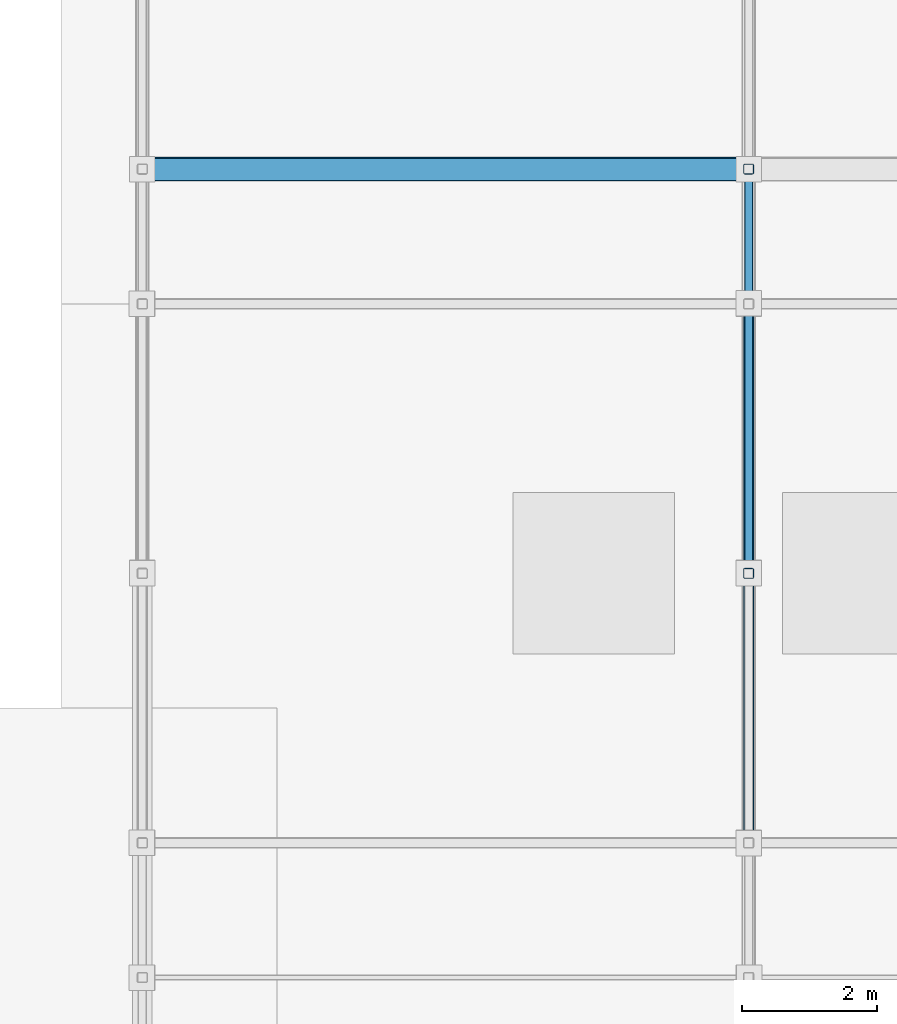
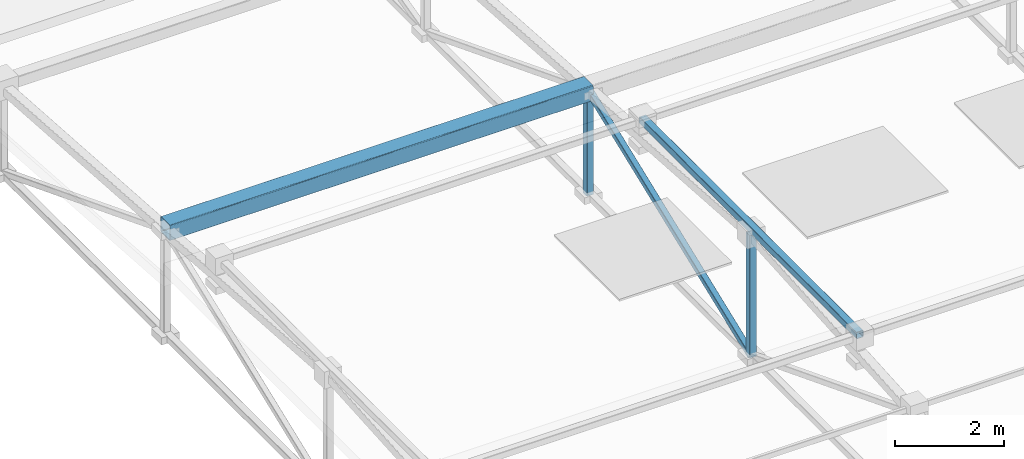
# One storey, part 26 of 85: 4 members, 1 beam.
"""IFC4 building model written with IfcOpenShell, lengths in metres."""

from ifc_helpers import new_model, si_unit, direction, frame, origin, origin_2d, place, context, subcontext, project, spatial, hollow_rectangle, extrude, material, material_profile, profile_set, type_object, element, save


model = new_model("IFC4")

# Units and contexts
model_context = context("Model", 3, precision=1e-05, world=origin(), true_north=direction((0.0, 1.0)))
body_context = subcontext(model_context, "Body", "Model", "MODEL_VIEW")
ifc_project = project(units=[si_unit("LENGTHUNIT", "METRE"), si_unit("AREAUNIT", "SQUARE_METRE"), si_unit("VOLUMEUNIT", "CUBIC_METRE"), si_unit("PLANEANGLEUNIT", "RADIAN"), si_unit("MASSUNIT", "GRAM", prefix="KILO"), si_unit("THERMODYNAMICTEMPERATUREUNIT", "KELVIN"), si_unit("POWERUNIT", "WATT")], contexts=[model_context])

# Site, building, storey
site_placement = place(None, origin())
site = spatial("IfcSite", under=ifc_project, at=site_placement, CompositionType="ELEMENT")
building_placement = place(site_placement, origin())
building = spatial("IfcBuilding", under=site, at=building_placement, Name="Zelmaris Science Centre", CompositionType="ELEMENT")
storey_placement = place(building_placement, frame((0.0, 0.0, 20.39990234375)))
storey = spatial("IfcBuildingStorey", under=building, at=storey_placement, Name="L04", CompositionType="ELEMENT", Elevation=20.39990234375)

# Beam
ifc_material = material(Name="Steel ASTM A500 Grade C", Category="steel")
ifc_material_profile_1 = material_profile(ifc_material, hollow_rectangle(XDim=0.15234375, YDim=0.15234375, WallThickness=0.0087890625, InnerFilletRadius=0.0087890625, OuterFilletRadius=0.017822265625, at=origin_2d()), Name="HSS152X152X10")
ifc_profile_set_1 = profile_set([ifc_material_profile_1], Name="Steel ASTM A500 Grade C")
beam_type = type_object("IfcBeamType", Name="Beam G-21 HSS152X152X10", PredefinedType="BEAM", material=ifc_profile_set_1)
beam_placement = place(storey_placement, frame((117.0, 28.0, 3.830078125), z_axis=(0.0, 1.0, 0.0), x_axis=(-1.0, 0.0, 0.0)))
element("IfcBeam", 1, at=beam_placement, inside=storey, type_object=beam_type, Name="RF-V4 Lantern transverse header 2", PredefinedType="BEAM", context=body_context, shape_type="SweptSolid", body=[
    extrude(hollow_rectangle(XDim=0.15234375, YDim=0.15234375, WallThickness=0.0087890625, InnerFilletRadius=0.0087890625, OuterFilletRadius=0.017822265625, at=origin_2d()), origin(), (0.0, 0.0, 1.0), 8.0),
])

# Members
ifc_material_profile_2 = material_profile(ifc_material, hollow_rectangle(XDim=0.355712890625, YDim=0.355712890625, WallThickness=0.0146484375, InnerFilletRadius=0.0146484375, OuterFilletRadius=0.029296875, at=origin_2d()), Name="HSS356X356X16")
ifc_profile_set_2 = profile_set([ifc_material_profile_2], Name="Steel ASTM A500 Grade C")
member_type_1 = type_object("IfcMemberType", Name="Roof Purlin PR-08 HSS356X356X16", PredefinedType="PURLIN", material=ifc_profile_set_2)
member_1_placement = place(storey_placement, frame((108.0, 38.0, 3.30419921875), z_axis=(1.0, 0.0, 0.0), x_axis=(0.0, 1.0, 0.0)))
element("IfcMember", 2, at=member_1_placement, inside=storey, type_object=member_type_1, Name="RF-V4 Roof purlin 5", PredefinedType="PURLIN", context=body_context, shape_type="SweptSolid", body=[
    extrude(hollow_rectangle(XDim=0.355712890625, YDim=0.355712890625, WallThickness=0.0146484375, InnerFilletRadius=0.0146484375, OuterFilletRadius=0.029296875, at=origin_2d()), origin(), (0.0, 0.0, 1.0), 9.0),
])
ifc_material_profile_3 = material_profile(ifc_material, hollow_rectangle(XDim=0.15234375, YDim=0.15234375, WallThickness=0.0087890625, InnerFilletRadius=0.0087890625, OuterFilletRadius=0.017822265625, at=origin_2d()), Name="HSS152X152X10")
ifc_profile_set_3 = profile_set([ifc_material_profile_3], Name="Steel ASTM A500 Grade C")
member_type_2 = type_object("IfcMemberType", Name="Structural Brace BR-03 HSS152X152X10", PredefinedType="BRACE", material=ifc_profile_set_3)
member_2_placement = place(storey_placement, frame((117.0, 32.0, 0.947998046875), z_axis=(0.0, 0.0, 1.0), x_axis=(1.0, 0.0, 0.0)))
element("IfcMember", 3, at=member_2_placement, inside=storey, type_object=member_type_2, Name="RF-V4 Roof truss 2 vertical web 4", PredefinedType="BRACE", context=body_context, shape_type="SweptSolid", body=[
    extrude(hollow_rectangle(XDim=0.15234375, YDim=0.15234375, WallThickness=0.0087890625, InnerFilletRadius=0.0087890625, OuterFilletRadius=0.017822265625, at=origin_2d()), origin(), (0.0, 0.0, 1.0), 2.75),
])
member_3_placement = place(storey_placement, frame((117.0, 38.0, 0.947998046875), z_axis=(0.0, 0.0, 1.0), x_axis=(1.0, 0.0, 0.0)))
element("IfcMember", 4, at=member_3_placement, inside=storey, type_object=member_type_2, Name="RF-V4 Roof truss 2 vertical web 5", PredefinedType="BRACE", context=body_context, shape_type="SweptSolid", body=[
    extrude(hollow_rectangle(XDim=0.15234375, YDim=0.15234375, WallThickness=0.0087890625, InnerFilletRadius=0.0087890625, OuterFilletRadius=0.017822265625, at=origin_2d()), origin(), (0.0, 0.0, 1.0), 2.33740234375),
])
ifc_material_profile_4 = material_profile(ifc_material, hollow_rectangle(XDim=0.126953125, YDim=0.126953125, WallThickness=0.00732421875, InnerFilletRadius=0.00732421875, OuterFilletRadius=0.014892578125, at=origin_2d()), Name="HSS127X127X8")
ifc_profile_set_4 = profile_set([ifc_material_profile_4], Name="Steel ASTM A500 Grade C")
member_type_3 = type_object("IfcMemberType", Name="Structural Brace BR-04 HSS127X127X8", PredefinedType="BRACE", material=ifc_profile_set_4)
member_4_placement = place(storey_placement, frame((117.0, 32.0, 0.947998046875), z_axis=(0.0, 0.93179104927, 0.362995097075), x_axis=(-1.0, 0.0, 0.0)))
element("IfcMember", 5, at=member_4_placement, inside=storey, type_object=member_type_3, Name="RF-V4 Roof truss 2 web diagonal 5", PredefinedType="BRACE", context=body_context, shape_type="SweptSolid", body=[
    extrude(hollow_rectangle(XDim=0.126953125, YDim=0.126953125, WallThickness=0.00732421875, InnerFilletRadius=0.00732421875, OuterFilletRadius=0.014892578125, at=origin_2d()), origin(), (0.0, 0.0, 1.0), 6.439208984375),
])

save(model, "model.ifc")
